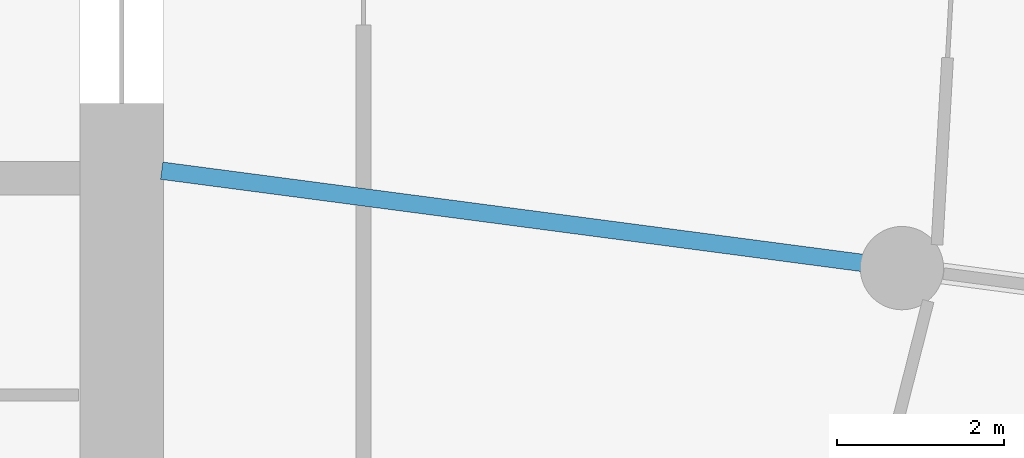
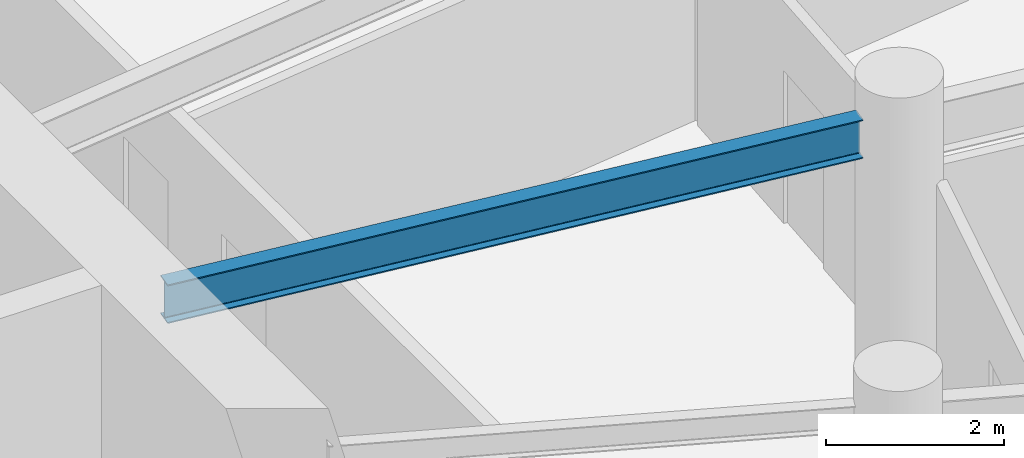
# One storey, part 5 of 19: 1 beam.
"""IFC4 building model written with IfcOpenShell, lengths in metres."""

from ifc_helpers import new_model, si_unit, direction, frame, origin, origin_2d, place, context, subcontext, project, spatial, i_section, extrude, source, transform, mapped, material, material_profile, profile_set, type_object, element, save


model = new_model("IFC4")

# Units and contexts
model_context = context("Model", 3, precision=1e-05, world=origin(), true_north=direction((0.0, 1.0)))
body_context = subcontext(model_context, "Body", "Model", "MODEL_VIEW")
ifc_project = project(units=[si_unit("LENGTHUNIT", "METRE"), si_unit("AREAUNIT", "SQUARE_METRE"), si_unit("VOLUMEUNIT", "CUBIC_METRE"), si_unit("PLANEANGLEUNIT", "RADIAN"), si_unit("MASSUNIT", "GRAM", prefix="KILO")], contexts=[model_context])

# Site, building, storey
site_placement = place(None, origin())
site = spatial("IfcSite", under=ifc_project, at=site_placement, CompositionType="ELEMENT")
building_placement = place(site_placement, origin())
building = spatial("IfcBuilding", under=site, at=building_placement, Name="Spindrift Exchange Tower", CompositionType="ELEMENT")
storey_placement = place(building_placement, frame((0.0, 0.0, 49.0)))
storey = spatial("IfcBuildingStorey", under=building, at=storey_placement, Name="L11", CompositionType="ELEMENT", Elevation=49.0)

# Beam
ifc_material = material(Name="Steel Grade 300", Category="steel")
ifc_material_profile = material_profile(ifc_material, i_section(OverallWidth=0.208984375, OverallDepth=0.532958984375, WebThickness=0.01025390625, FlangeThickness=0.015625, FilletRadius=0.013916015625, at=origin_2d()), Name="530UB92.4")
ifc_profile_set = profile_set([ifc_material_profile], Name="Steel Grade 300")
beam_type = type_object("IfcBeamType", Name="Floor Beam 530UB92.4 Steel Grade 300", PredefinedType="BEAM", material=ifc_profile_set)
shared_shape = source(origin(), body_context, "Body", "SweptSolid", [
    extrude(i_section(OverallWidth=0.208984375, OverallDepth=0.532958984375, WebThickness=0.01025390625, FlangeThickness=0.015625, FilletRadius=0.013916015625, at=origin_2d()), origin(), (0.0, 0.0, 1.0), 8.4794921875),
])
beam_placement = place(storey_placement, frame((64.980224609375, 46.291015625, 3.68359375), z_axis=(0.991446551951, -0.13051335037, 0.0), x_axis=(0.13051335037, 0.991446551951, 0.0)))
element("IfcBeam", 1, at=beam_placement, inside=storey, type_object=beam_type, Name="L11 radial beam R24A", PredefinedType="BEAM", context=body_context, shape_type="MappedRepresentation", body=[
    mapped(shared_shape, transform((0.0, 0.0, 0.0), scale=1.0)),
])

save(model, "model.ifc")
